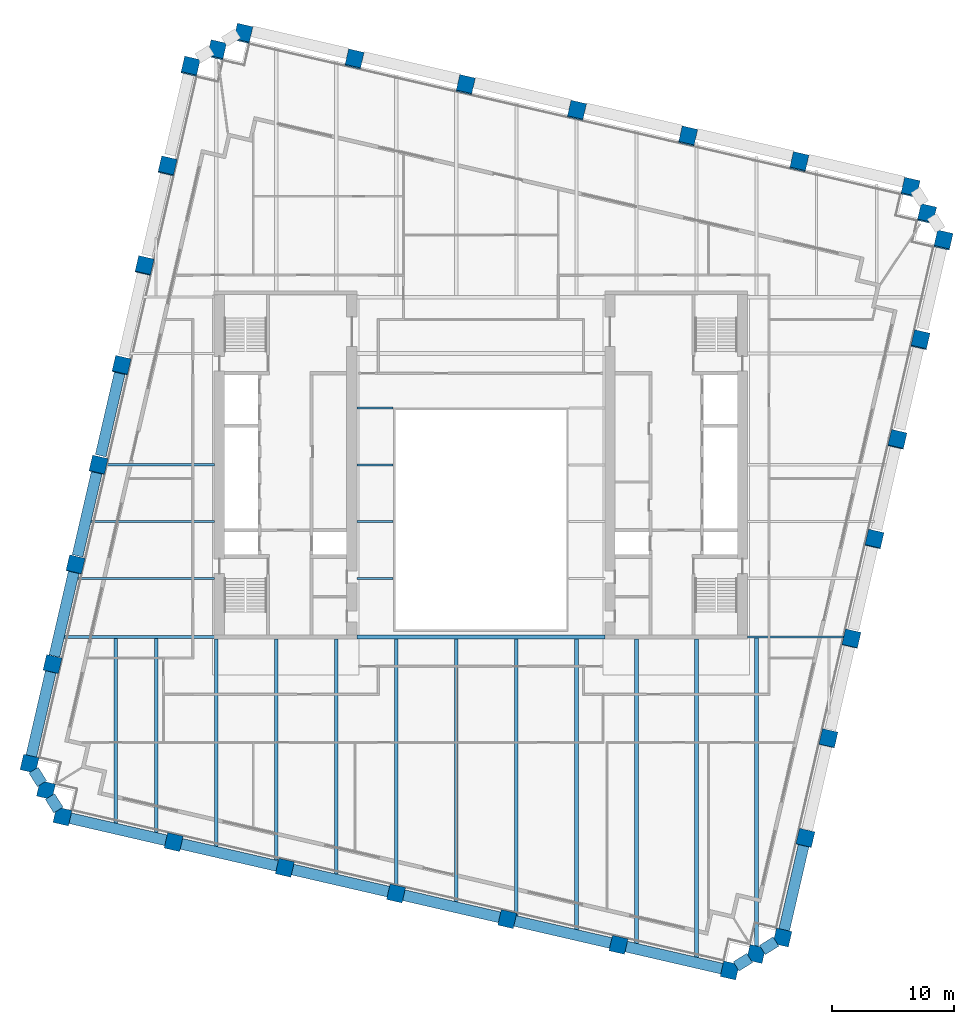
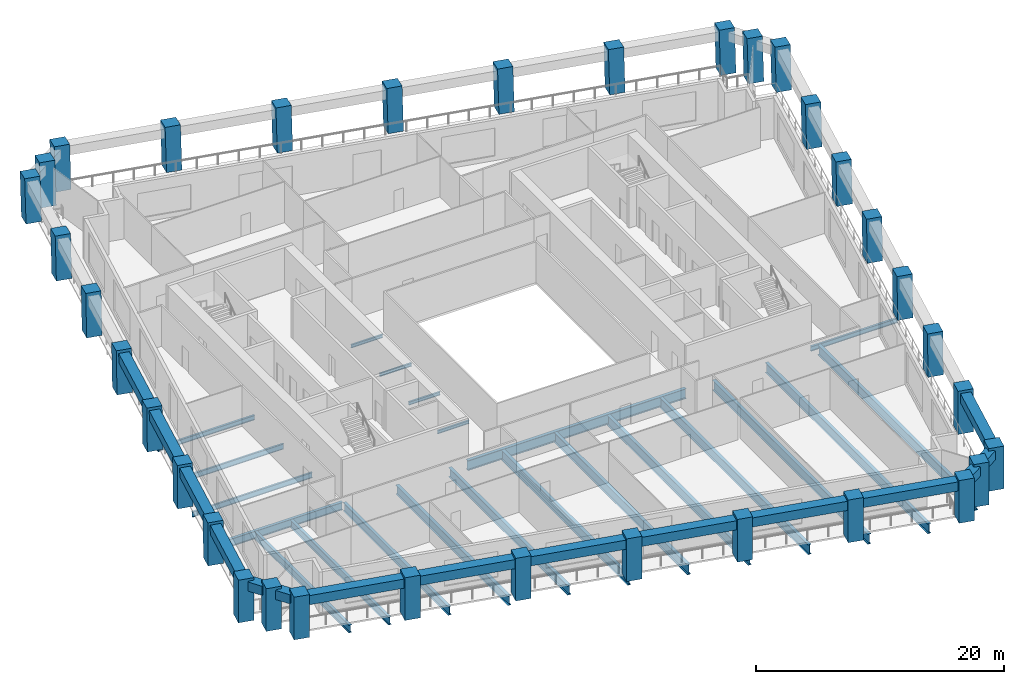
# One storey, part 1 of 10: 37 beams, 34 columns.
"""IFC4 building model written with IfcOpenShell, lengths in metres."""

from ifc_helpers import new_model, si_unit, direction, frame, origin, origin_2d, place, context, subcontext, project, spatial, rectangle, i_section, extrude, material, material_profile, profile_set, type_object, element, save


model = new_model("IFC4")

# Units and contexts
model_context = context("Model", 3, precision=1e-05, world=origin(), true_north=direction((0.0, 1.0)))
body_context = subcontext(model_context, "Body", "Model", "MODEL_VIEW")
ifc_project = project(units=[si_unit("LENGTHUNIT", "METRE"), si_unit("AREAUNIT", "SQUARE_METRE"), si_unit("VOLUMEUNIT", "CUBIC_METRE"), si_unit("PLANEANGLEUNIT", "RADIAN"), si_unit("MASSUNIT", "GRAM", prefix="KILO")], contexts=[model_context])

# Site, building, storey
site_placement = place(None, origin())
site = spatial("IfcSite", under=ifc_project, at=site_placement, CompositionType="ELEMENT")
building_placement = place(site_placement, origin())
building = spatial("IfcBuilding", under=site, at=building_placement, Name="Ogive Exchange Tower", CompositionType="ELEMENT")
storey_placement = place(building_placement, frame((0.0, 0.0, 143.39990234375)))
storey = spatial("IfcBuildingStorey", under=building, at=storey_placement, Name="L31", CompositionType="ELEMENT", Elevation=143.39990234375)

# Columns
ifc_material_1 = material(Name="Precast concrete C70/85 (limestone faced)", Category="masonry")
ifc_material_profile_1 = material_profile(ifc_material_1, rectangle(XDim=1.300048828125, YDim=1.300048828125, at=origin_2d()), Name="1300 x 1300")
ifc_profile_set_1 = profile_set([ifc_material_profile_1], Name="Precast concrete C70/85 (limestone faced)")
column_type = type_object("IfcColumnType", Name="Precast exoskeleton leg 1300 x 1300 C70/85", PredefinedType="COLUMN", material=ifc_profile_set_1)
for number, where, z_axis, x_axis, name in (
    (1, (-34.281982421875, -17.298095703125, 0.0), (0.0, 0.0, 1.0), (0.974370064785, -0.224951054344, 0.0), "Exoskeleton leg 1"),
    (2, (-25.171630859375, -19.401611328125, 0.0), (0.0, 0.0, 1.0), (0.974370064785, -0.224951054344, 0.0), "Exoskeleton leg 2"),
    (3, (-16.061279296875, -21.504638671875, 0.0), (0.0, 0.0, 1.0), (0.974370064785, -0.224951054344, 0.0), "Exoskeleton leg 3"),
    (4, (-6.950927734375, -23.60791015625, 0.0), (0.0, 0.0, 1.0), (0.974370064785, -0.224951054344, 0.0), "Exoskeleton leg 4"),
    (5, (2.159423828125, -25.711181640625, 0.0), (0.0, 0.0, 1.0), (0.974370064785, -0.224951054344, 0.0), "Exoskeleton leg 5"),
    (6, (11.269775390625, -27.814697265625, 0.0), (0.0, 0.0, 1.0), (0.974370064785, -0.224951054344, 0.0), "Exoskeleton leg 6"),
    (7, (20.380126953125, -29.91796875, 0.0), (0.0, 0.0, 1.0), (0.974370064785, -0.224951054344, 0.0), "Exoskeleton leg 7"),
    (8, (24.697509765625, -27.219970703125, 0.0), (0.0, 0.0, 1.0), (0.974370064785, -0.224951054344, 0.0), "Exoskeleton leg 8"),
):
    element("IfcColumn", number, at=place(storey_placement, frame(where, z_axis=z_axis, x_axis=x_axis)), inside=storey, type_object=column_type, Name=name, PredefinedType="COLUMN", context=body_context, shape_type="SweptSolid", body=[
        extrude(rectangle(XDim=1.300048828125, YDim=1.300048828125, at=origin_2d()), origin(), (0.0, 0.0, 1.0), 4.2001953125),
    ])
column_1_placement = place(storey_placement, frame((26.580078125, -19.065673828125, 0.0), z_axis=(0.002964175891, 0.012670398905, 0.999915333742), x_axis=(-0.973709261374, 0.227794368487, 0.0)))
element("IfcColumn", 9, at=column_1_placement, inside=storey, type_object=column_type, Name="Exoskeleton leg 9", PredefinedType="COLUMN", context=body_context, shape_type="SweptSolid", body=[
    extrude(rectangle(XDim=1.300048828125, YDim=1.300048828125, at=origin_2d()), origin(), (0.0, 0.0, 1.0), 4.200439453125),
])
column_2_placement = place(storey_placement, frame((28.462890625, -10.911376953125, 0.0), z_axis=(0.005810637908, 0.02533438128, 0.999662145733), x_axis=(-0.974691740237, 0.22355315143, 0.0)))
element("IfcColumn", 10, at=column_2_placement, inside=storey, type_object=column_type, Name="Exoskeleton leg 10", PredefinedType="COLUMN", context=body_context, shape_type="SweptSolid", body=[
    extrude(rectangle(XDim=1.300048828125, YDim=1.300048828125, at=origin_2d()), origin(), (0.0, 0.0, 1.0), 4.20166015625),
])
column_3_placement = place(storey_placement, frame((30.345458984375, -2.757080078125, 0.0), z_axis=(0.008712278909, 0.037985536045, 0.999240309059), x_axis=(-0.974691740237, 0.22355315143, 0.0)))
element("IfcColumn", 11, at=column_3_placement, inside=storey, type_object=column_type, Name="Exoskeleton leg 11", PredefinedType="COLUMN", context=body_context, shape_type="SweptSolid", body=[
    extrude(rectangle(XDim=1.300048828125, YDim=1.300048828125, at=origin_2d()), origin(), (0.0, 0.0, 1.0), 4.203369140625),
])
column_4_placement = place(storey_placement, frame((32.22802734375, 5.3974609375, 0.0), z_axis=(0.011667624972, 0.050501660328, 0.998655821007), x_axis=(-0.974334539389, 0.225104876342, 0.0)))
element("IfcColumn", 12, at=column_4_placement, inside=storey, type_object=column_type, Name="Exoskeleton leg 12", PredefinedType="COLUMN", context=body_context, shape_type="SweptSolid", body=[
    extrude(rectangle(XDim=1.300048828125, YDim=1.300048828125, at=origin_2d()), origin(), (0.0, 0.0, 1.0), 4.205810546875),
])
column_5_placement = place(storey_placement, frame((34.110595703125, 13.5517578125, 0.0), z_axis=(0.014558999143, 0.063108330945, 0.997900483069), x_axis=(-0.97440628778, 0.224794097641, 0.0)))
element("IfcColumn", 13, at=column_5_placement, inside=storey, type_object=column_type, Name="Exoskeleton leg 13", PredefinedType="COLUMN", context=body_context, shape_type="SweptSolid", body=[
    extrude(rectangle(XDim=1.300048828125, YDim=1.300048828125, at=origin_2d()), origin(), (0.0, 0.0, 1.0), 4.208984375),
])
column_6_placement = place(storey_placement, frame((35.9931640625, 21.7060546875, 0.0), z_axis=(0.017443081717, 0.075683271502, 0.996979328429), x_axis=(-0.974454034257, 0.224587032398, 0.0)))
element("IfcColumn", 14, at=column_6_placement, inside=storey, type_object=column_type, Name="Exoskeleton leg 14", PredefinedType="COLUMN", context=body_context, shape_type="SweptSolid", body=[
    extrude(rectangle(XDim=1.300048828125, YDim=1.300048828125, at=origin_2d()), origin(), (0.0, 0.0, 1.0), 4.212890625),
])
for number, where, z_axis, x_axis, name in (
    (15, (37.875732421875, 29.8603515625, 0.0), (0.02037631848, 0.088220197057, 0.99589256573), (-0.97434807649, 0.225046274885, 0.0), "Exoskeleton leg 15"),
    (16, (35.177734375, 34.177978515625, 0.0), (0.02037631848, 0.088220197057, 0.99589256573), (-0.97434807649, 0.225046274885, 0.0), "Exoskeleton leg 16"),
    (17, (26.0673828125, 36.28125, 0.0), (0.02037631848, 0.088220197057, 0.99589256573), (-0.97434807649, 0.225046274885, 0.0), "Exoskeleton leg 17"),
    (18, (16.95703125, 38.384521484375, 0.0), (0.02037631848, 0.088220197057, 0.99589256573), (-0.97434807649, 0.225046274885, 0.0), "Exoskeleton leg 18"),
    (19, (7.8466796875, 40.48779296875, 0.0), (0.02037631848, 0.088220197057, 0.99589256573), (-0.97434807649, 0.225046274885, 0.0), "Exoskeleton leg 19"),
    (20, (-1.263671875, 42.591064453125, 0.0), (0.02037631848, 0.088220197057, 0.99589256573), (-0.97434807649, 0.225046274885, 0.0), "Exoskeleton leg 20"),
    (21, (-10.3740234375, 44.6943359375, 0.0), (0.02037631848, 0.088220197057, 0.99589256573), (-0.97434807649, 0.225046274885, 0.0), "Exoskeleton leg 21"),
    (22, (-19.484375, 46.797607421875, 0.0), (0.02037631848, 0.088220197057, 0.99589256573), (-0.97434807649, 0.225046274885, 0.0), "Exoskeleton leg 22"),
    (23, (-23.802001953125, 44.099853515625, 0.0), (0.020376422505, 0.088162759874, 0.995897649951), (-0.97431566651, 0.225186549318, 0.0), "Exoskeleton leg 23"),
):
    element("IfcColumn", number, at=place(storey_placement, frame(where, z_axis=z_axis, x_axis=x_axis)), inside=storey, type_object=column_type, Name=name, PredefinedType="COLUMN", context=body_context, shape_type="SweptSolid", body=[
        extrude(rectangle(XDim=1.300048828125, YDim=1.300048828125, at=origin_2d()), origin(), (0.0, 0.0, 1.0), 4.217529296875),
    ])
column_7_placement = place(storey_placement, frame((-25.6845703125, 35.9453125, 0.0), z_axis=(0.017500937648, 0.075740812935, 0.996973944713), x_axis=(-0.974328337224, 0.225131719848, 0.0)))
element("IfcColumn", 24, at=column_7_placement, inside=storey, type_object=column_type, Name="Exoskeleton leg 24", PredefinedType="COLUMN", context=body_context, shape_type="SweptSolid", body=[
    extrude(rectangle(XDim=1.300048828125, YDim=1.300048828125, at=origin_2d()), origin(), (0.0, 0.0, 1.0), 4.212890625),
])
column_8_placement = place(storey_placement, frame((-27.567138671875, 27.791015625, 0.0), z_axis=(0.014616937225, 0.06316605015, 0.997895984186), x_axis=(-0.974255315496, 0.225447511024, 0.0)))
element("IfcColumn", 25, at=column_8_placement, inside=storey, type_object=column_type, Name="Exoskeleton leg 25", PredefinedType="COLUMN", context=body_context, shape_type="SweptSolid", body=[
    extrude(rectangle(XDim=1.300048828125, YDim=1.300048828125, at=origin_2d()), origin(), (0.0, 0.0, 1.0), 4.208984375),
])
column_9_placement = place(storey_placement, frame((-29.44970703125, 19.63671875, 0.0), z_axis=(0.011667590749, 0.050559559912, 0.998652891764), x_axis=(-0.974391195695, 0.224859506699, 0.0)))
element("IfcColumn", 26, at=column_9_placement, inside=storey, type_object=column_type, Name="Exoskeleton leg 26", PredefinedType="COLUMN", context=body_context, shape_type="SweptSolid", body=[
    extrude(rectangle(XDim=1.300048828125, YDim=1.300048828125, at=origin_2d()), origin(), (0.0, 0.0, 1.0), 4.205810546875),
])
column_10_placement = place(storey_placement, frame((-31.332275390625, 11.482421875, 0.0), z_axis=(0.008770375651, 0.037927518544, 0.999242004646), x_axis=(-0.974290512438, 0.225295355862, 0.0)))
element("IfcColumn", 27, at=column_10_placement, inside=storey, type_object=column_type, Name="Exoskeleton leg 27", PredefinedType="COLUMN", context=body_context, shape_type="SweptSolid", body=[
    extrude(rectangle(XDim=1.300048828125, YDim=1.300048828125, at=origin_2d()), origin(), (0.0, 0.0, 1.0), 4.203369140625),
])
column_11_placement = place(storey_placement, frame((-33.21484375, 3.328125, 0.0), z_axis=(0.005868750925, 0.02527630349, 0.999663276431), x_axis=(-0.974088391429, 0.226167649504, 0.0)))
element("IfcColumn", 28, at=column_11_placement, inside=storey, type_object=column_type, Name="Exoskeleton leg 28", PredefinedType="COLUMN", context=body_context, shape_type="SweptSolid", body=[
    extrude(rectangle(XDim=1.300048828125, YDim=1.300048828125, at=origin_2d()), origin(), (0.0, 0.0, 1.0), 4.20166015625),
])
column_12_placement = place(storey_placement, frame((-35.097412109375, -4.826416015625, 0.0), z_axis=(0.00290605529, 0.012670401066, 0.99991550432), x_axis=(-0.974691740237, 0.22355315143, 0.0)))
element("IfcColumn", 29, at=column_12_placement, inside=storey, type_object=column_type, Name="Exoskeleton leg 29", PredefinedType="COLUMN", context=body_context, shape_type="SweptSolid", body=[
    extrude(rectangle(XDim=1.300048828125, YDim=1.300048828125, at=origin_2d()), origin(), (0.0, 0.0, 1.0), 4.200439453125),
])
for number, where, z_axis, x_axis, name in (
    (30, (-36.97998046875, -12.980712890625, 0.0), (0.0, 0.0, 1.0), (0.974370064785, -0.224951054344, 0.0), "Exoskeleton leg 30"),
    (31, (22.538818359375, -28.569091796875, 0.0), (0.0, 0.0, 1.0), (0.974370064785, -0.224951054344, 0.0), "Exoskeleton leg 31"),
):
    element("IfcColumn", number, at=place(storey_placement, frame(where, z_axis=z_axis, x_axis=x_axis)), inside=storey, type_object=column_type, Name=name, PredefinedType="COLUMN", context=body_context, shape_type="SweptSolid", body=[
        extrude(rectangle(XDim=1.300048828125, YDim=1.300048828125, at=origin_2d()), origin(), (0.0, 0.0, 1.0), 4.2001953125),
    ])
for number, where, z_axis, x_axis, name in (
    (32, (36.526611328125, 32.01904296875, 0.0), (0.02037631848, 0.088220197057, 0.99589256573), (-0.97434807649, 0.225046274885, 0.0), "Exoskeleton leg 32"),
    (33, (-21.643310546875, 45.44873046875, 0.0), (0.02037631848, 0.088220197057, 0.99589256573), (-0.97434807649, 0.225046274885, 0.0), "Exoskeleton leg 33"),
):
    element("IfcColumn", number, at=place(storey_placement, frame(where, z_axis=z_axis, x_axis=x_axis)), inside=storey, type_object=column_type, Name=name, PredefinedType="COLUMN", context=body_context, shape_type="SweptSolid", body=[
        extrude(rectangle(XDim=1.300048828125, YDim=1.300048828125, at=origin_2d()), origin(), (0.0, 0.0, 1.0), 4.217529296875),
    ])
column_13_placement = place(storey_placement, frame((-35.631103515625, -15.139404296875, 0.0), z_axis=(0.0, 0.0, 1.0), x_axis=(0.974370064785, -0.224951054344, 0.0)))
element("IfcColumn", 34, at=column_13_placement, inside=storey, type_object=column_type, Name="Exoskeleton leg 34", PredefinedType="COLUMN", context=body_context, shape_type="SweptSolid", body=[
    extrude(rectangle(XDim=1.300048828125, YDim=1.300048828125, at=origin_2d()), origin(), (0.0, 0.0, 1.0), 4.2001953125),
])

# Beams
ifc_material_2 = material(Name="Steel ASTM A992 Gr50", Category="steel")
ifc_material_profile_2 = material_profile(ifc_material_2, i_section(OverallWidth=0.300048828125, OverallDepth=0.97998046875, WebThickness=0.0166015625, FlangeThickness=0.026123046875, at=origin_2d()), Name="W1000x249")
ifc_profile_set_2 = profile_set([ifc_material_profile_2], Name="Steel ASTM A992 Gr50")
beam_type_1 = type_object("IfcBeamType", Name="Floor beam W1000x249", PredefinedType="JOIST", material=ifc_profile_set_2)
beam_1_placement = place(storey_placement, frame((-6.9296875, -23.151123046875, -0.68994140625), z_axis=(0.0, 1.0, 0.0), x_axis=(-1.0, 0.0, 0.0)))
element("IfcBeam", 35, at=beam_1_placement, inside=storey, type_object=beam_type_1, Name="Floor beam", PredefinedType="JOIST", context=body_context, shape_type="SweptSolid", body=[
    extrude(i_section(OverallWidth=0.300048828125, OverallDepth=0.97998046875, WebThickness=0.0166015625, FlangeThickness=0.026123046875, at=origin_2d()), origin(), (0.0, 0.0, 1.0), 20.406005859375),
])
beam_2_placement = place(storey_placement, frame((-2.011474609375, -24.28662109375, -0.68994140625), z_axis=(0.0, 1.0, 0.0), x_axis=(-1.0, 0.0, 0.0)))
element("IfcBeam", 36, at=beam_2_placement, inside=storey, type_object=beam_type_1, Name="Floor beam", PredefinedType="JOIST", context=body_context, shape_type="SweptSolid", body=[
    extrude(i_section(OverallWidth=0.300048828125, OverallDepth=0.97998046875, WebThickness=0.0166015625, FlangeThickness=0.026123046875, at=origin_2d()), origin(), (0.0, 0.0, 1.0), 21.54150390625),
])
beam_3_placement = place(storey_placement, frame((2.906982421875, -25.572021484375, -0.68994140625), z_axis=(0.0, 1.0, 0.0), x_axis=(-1.0, 0.0, 0.0)))
element("IfcBeam", 37, at=beam_3_placement, inside=storey, type_object=beam_type_1, Name="Floor beam", PredefinedType="JOIST", context=body_context, shape_type="SweptSolid", body=[
    extrude(i_section(OverallWidth=0.300048828125, OverallDepth=0.97998046875, WebThickness=0.0166015625, FlangeThickness=0.026123046875, at=origin_2d()), origin(), (0.0, 0.0, 1.0), 22.826904296875),
])
beam_4_placement = place(storey_placement, frame((7.825439453125, -26.70751953125, -0.68994140625), z_axis=(0.0, 1.0, 0.0), x_axis=(-1.0, 0.0, 0.0)))
element("IfcBeam", 38, at=beam_4_placement, inside=storey, type_object=beam_type_1, Name="Floor beam", PredefinedType="JOIST", context=body_context, shape_type="SweptSolid", body=[
    extrude(i_section(OverallWidth=0.300048828125, OverallDepth=0.97998046875, WebThickness=0.0166015625, FlangeThickness=0.026123046875, at=origin_2d()), origin(), (0.0, 0.0, 1.0), 23.96240234375),
])
beam_5_placement = place(storey_placement, frame((12.743896484375, -27.843017578125, -0.68994140625), z_axis=(0.0, 1.0, 0.0), x_axis=(-1.0, 0.0, 0.0)))
element("IfcBeam", 39, at=beam_5_placement, inside=storey, type_object=beam_type_1, Name="Floor beam", PredefinedType="JOIST", context=body_context, shape_type="SweptSolid", body=[
    extrude(i_section(OverallWidth=0.300048828125, OverallDepth=0.97998046875, WebThickness=0.0166015625, FlangeThickness=0.026123046875, at=origin_2d()), origin(), (0.0, 0.0, 1.0), 25.093017578125),
])
beam_6_placement = place(storey_placement, frame((17.662353515625, -28.978515625, -0.68994140625), z_axis=(0.0, 1.0, 0.0), x_axis=(-1.0, 0.0, 0.0)))
element("IfcBeam", 40, at=beam_6_placement, inside=storey, type_object=beam_type_1, Name="Floor beam", PredefinedType="JOIST", context=body_context, shape_type="SweptSolid", body=[
    extrude(i_section(OverallWidth=0.300048828125, OverallDepth=0.97998046875, WebThickness=0.0166015625, FlangeThickness=0.026123046875, at=origin_2d()), origin(), (0.0, 0.0, 1.0), 26.228515625),
])
beam_7_placement = place(storey_placement, frame((22.580810546875, -28.0615234375, -0.68994140625), z_axis=(0.0, 1.0, 0.0), x_axis=(-1.0, 0.0, 0.0)))
element("IfcBeam", 41, at=beam_7_placement, inside=storey, type_object=beam_type_1, Name="Floor beam", PredefinedType="JOIST", context=body_context, shape_type="SweptSolid", body=[
    extrude(i_section(OverallWidth=0.300048828125, OverallDepth=0.97998046875, WebThickness=0.0166015625, FlangeThickness=0.026123046875, at=origin_2d()), origin(), (0.0, 0.0, 1.0), 25.37109375),
])
ifc_material_profile_3 = material_profile(ifc_material_2, i_section(OverallWidth=0.1650390625, OverallDepth=0.31005859375, WebThickness=0.005859375, FlangeThickness=0.009765625, at=origin_2d()), Name="W310x38.7")
ifc_profile_set_3 = profile_set([ifc_material_profile_3], Name="Steel ASTM A992 Gr50")
beam_type_2 = type_object("IfcBeamType", Name="Floor beam W310x38.7", PredefinedType="JOIST", material=ifc_profile_set_3)
for number, where, z_axis, x_axis, name in (
    (42, (-10.169921875, 2.208740234375, -0.35498046875), (1.0, 0.0, 0.0), (0.0, 1.0, 0.0), "Floor beam"),
    (43, (-10.169921875, 6.857421875, -0.35498046875), (1.0, 0.0, 0.0), (0.0, 1.0, 0.0), "Floor beam"),
    (44, (-10.169921875, 11.50634765625, -0.35498046875), (1.0, 0.0, 0.0), (0.0, 1.0, 0.0), "Floor beam"),
):
    element("IfcBeam", number, at=place(storey_placement, frame(where, z_axis=z_axis, x_axis=x_axis)), inside=storey, type_object=beam_type_2, Name=name, PredefinedType="JOIST", context=body_context, shape_type="SweptSolid", body=[
        extrude(i_section(OverallWidth=0.1650390625, OverallDepth=0.31005859375, WebThickness=0.005859375, FlangeThickness=0.009765625, at=origin_2d()), origin(), (0.0, 0.0, 1.0), 2.949951171875),
    ])
ifc_material_profile_4 = material_profile(ifc_material_2, i_section(OverallWidth=0.19091796875, OverallDepth=0.45703125, WebThickness=0.009033203125, FlangeThickness=0.014404296875, at=origin_2d()), Name="W460x74")
ifc_profile_set_4 = profile_set([ifc_material_profile_4], Name="Steel ASTM A992 Gr50")
beam_type_3 = type_object("IfcBeamType", Name="Floor beam W460x74", PredefinedType="JOIST", material=ifc_profile_set_4)
beam_8_placement = place(storey_placement, frame((-30.864990234375, 11.50634765625, -0.428466796875), z_axis=(1.0, 0.0, 0.0), x_axis=(0.0, 1.0, 0.0)))
element("IfcBeam", 45, at=beam_8_placement, inside=storey, type_object=beam_type_3, Name="Floor beam", PredefinedType="JOIST", context=body_context, shape_type="SweptSolid", body=[
    extrude(i_section(OverallWidth=0.19091796875, OverallDepth=0.45703125, WebThickness=0.009033203125, FlangeThickness=0.014404296875, at=origin_2d()), origin(), (0.0, 0.0, 1.0), 9.034912109375),
])
ifc_material_profile_5 = material_profile(ifc_material_2, i_section(OverallWidth=0.1669921875, OverallDepth=0.535888671875, WebThickness=0.01025390625, FlangeThickness=0.0166015625, at=origin_2d()), Name="W530x85")
ifc_profile_set_5 = profile_set([ifc_material_profile_5], Name="Steel ASTM A992 Gr50")
beam_type_4 = type_object("IfcBeamType", Name="Floor beam W530x85", PredefinedType="JOIST", material=ifc_profile_set_5)
beam_9_placement = place(storey_placement, frame((-33.011474609375, 2.208740234375, -0.468017578125), z_axis=(1.0, 0.0, 0.0), x_axis=(0.0, 1.0, 0.0)))
element("IfcBeam", 46, at=beam_9_placement, inside=storey, type_object=beam_type_4, Name="Floor beam", PredefinedType="JOIST", context=body_context, shape_type="SweptSolid", body=[
    extrude(i_section(OverallWidth=0.1669921875, OverallDepth=0.535888671875, WebThickness=0.01025390625, FlangeThickness=0.0166015625, at=origin_2d()), origin(), (0.0, 0.0, 1.0), 11.181396484375),
])
beam_10_placement = place(storey_placement, frame((-31.938232421875, 6.857421875, -0.468017578125), z_axis=(1.0, 0.0, 0.0), x_axis=(0.0, 1.0, 0.0)))
element("IfcBeam", 47, at=beam_10_placement, inside=storey, type_object=beam_type_4, Name="Floor beam", PredefinedType="JOIST", context=body_context, shape_type="SweptSolid", body=[
    extrude(i_section(OverallWidth=0.1669921875, OverallDepth=0.535888671875, WebThickness=0.01025390625, FlangeThickness=0.0166015625, at=origin_2d()), origin(), (0.0, 0.0, 1.0), 10.108154296875),
])
ifc_material_profile_6 = material_profile(ifc_material_2, i_section(OverallWidth=0.26708984375, OverallDepth=0.75390625, WebThickness=0.01318359375, FlangeThickness=0.01708984375, at=origin_2d()), Name="W760x147")
ifc_profile_set_6 = profile_set([ifc_material_profile_6], Name="Steel ASTM A992 Gr50")
beam_type_5 = type_object("IfcBeamType", Name="Floor beam W760x147", PredefinedType="JOIST", material=ifc_profile_set_6)
beam_11_placement = place(storey_placement, frame((-29.921875, -17.992919921875, -0.576904296875), z_axis=(0.0, 1.0, 0.0), x_axis=(-1.0, 0.0, 0.0)))
element("IfcBeam", 48, at=beam_11_placement, inside=storey, type_object=beam_type_5, Name="Floor beam", PredefinedType="JOIST", context=body_context, shape_type="SweptSolid", body=[
    extrude(i_section(OverallWidth=0.26708984375, OverallDepth=0.75390625, WebThickness=0.01318359375, FlangeThickness=0.01708984375, at=origin_2d()), origin(), (0.0, 0.0, 1.0), 15.264404296875),
])
ifc_material_profile_7 = material_profile(ifc_material_2, i_section(OverallWidth=0.26708984375, OverallDepth=0.761962890625, WebThickness=0.014404296875, FlangeThickness=0.021484375, at=origin_2d()), Name="W760x173")
ifc_profile_set_7 = profile_set([ifc_material_profile_7], Name="Steel ASTM A992 Gr50")
beam_type_6 = type_object("IfcBeamType", Name="Floor beam W760x173", PredefinedType="JOIST", material=ifc_profile_set_7)
beam_12_placement = place(storey_placement, frame((-26.603515625, -18.609130859375, -0.580810546875), z_axis=(0.0, 1.0, 0.0), x_axis=(-1.0, 0.0, 0.0)))
element("IfcBeam", 49, at=beam_12_placement, inside=storey, type_object=beam_type_6, Name="Floor beam", PredefinedType="JOIST", context=body_context, shape_type="SweptSolid", body=[
    extrude(i_section(OverallWidth=0.26708984375, OverallDepth=0.761962890625, WebThickness=0.014404296875, FlangeThickness=0.021484375, at=origin_2d()), origin(), (0.0, 0.0, 1.0), 15.880615234375),
])
ifc_material_profile_8 = material_profile(ifc_material_2, i_section(OverallWidth=0.2919921875, OverallDepth=0.8359375, WebThickness=0.013916015625, FlangeThickness=0.018798828125, at=origin_2d()), Name="W840x176")
ifc_profile_set_8 = profile_set([ifc_material_profile_8], Name="Steel ASTM A992 Gr50")
beam_type_7 = type_object("IfcBeamType", Name="Floor beam W840x176", PredefinedType="JOIST", material=ifc_profile_set_8)
beam_13_placement = place(storey_placement, frame((-21.68505859375, -19.74462890625, -0.617919921875), z_axis=(0.0, 1.0, 0.0), x_axis=(-1.0, 0.0, 0.0)))
element("IfcBeam", 50, at=beam_13_placement, inside=storey, type_object=beam_type_7, Name="Floor beam", PredefinedType="JOIST", context=body_context, shape_type="SweptSolid", body=[
    extrude(i_section(OverallWidth=0.2919921875, OverallDepth=0.8359375, WebThickness=0.013916015625, FlangeThickness=0.018798828125, at=origin_2d()), origin(), (0.0, 0.0, 1.0), 16.99462890625),
])
ifc_material_profile_9 = material_profile(ifc_material_2, i_section(OverallWidth=0.304931640625, OverallDepth=0.904052734375, WebThickness=0.01513671875, FlangeThickness=0.02001953125, at=origin_2d()), Name="W920x201")
ifc_profile_set_9 = profile_set([ifc_material_profile_9], Name="Steel ASTM A992 Gr50")
beam_type_8 = type_object("IfcBeamType", Name="Floor beam W920x201", PredefinedType="JOIST", material=ifc_profile_set_9)
beam_14_placement = place(storey_placement, frame((-16.7666015625, -20.880126953125, -0.65185546875), z_axis=(0.0, 1.0, 0.0), x_axis=(-1.0, 0.0, 0.0)))
element("IfcBeam", 51, at=beam_14_placement, inside=storey, type_object=beam_type_8, Name="Floor beam", PredefinedType="JOIST", context=body_context, shape_type="SweptSolid", body=[
    extrude(i_section(OverallWidth=0.304931640625, OverallDepth=0.904052734375, WebThickness=0.01513671875, FlangeThickness=0.02001953125, at=origin_2d()), origin(), (0.0, 0.0, 1.0), 18.130126953125),
])
ifc_material_profile_10 = material_profile(ifc_material_2, i_section(OverallWidth=0.304931640625, OverallDepth=0.9189453125, WebThickness=0.017333984375, FlangeThickness=0.02783203125, at=origin_2d()), Name="W920x253")
ifc_profile_set_10 = profile_set([ifc_material_profile_10], Name="Steel ASTM A992 Gr50")
beam_type_9 = type_object("IfcBeamType", Name="Floor beam W920x253", PredefinedType="JOIST", material=ifc_profile_set_10)
beam_15_placement = place(storey_placement, frame((-11.84814453125, -22.015625, -0.659423828125), z_axis=(0.0, 1.0, 0.0), x_axis=(-1.0, 0.0, 0.0)))
element("IfcBeam", 52, at=beam_15_placement, inside=storey, type_object=beam_type_9, Name="Floor beam", PredefinedType="JOIST", context=body_context, shape_type="SweptSolid", body=[
    extrude(i_section(OverallWidth=0.304931640625, OverallDepth=0.9189453125, WebThickness=0.017333984375, FlangeThickness=0.02783203125, at=origin_2d()), origin(), (0.0, 0.0, 1.0), 19.265625),
])
ifc_material_profile_11 = material_profile(ifc_material_2, i_section(OverallWidth=0.300048828125, OverallDepth=0.97998046875, WebThickness=0.0166015625, FlangeThickness=0.026123046875, at=origin_2d()), Name="W1000x249")
ifc_profile_set_11 = profile_set([ifc_material_profile_11], Name="Steel ASTM A992 Gr50")
beam_type_10 = type_object("IfcBeamType", Name="Girder W1000x249", PredefinedType="BEAM", material=ifc_profile_set_11)
beam_16_placement = place(storey_placement, frame((-10.169921875, -2.594970703125, -0.68994140625), z_axis=(1.0, 0.0, 0.0), x_axis=(0.0, 1.0, 0.0)))
element("IfcBeam", 53, at=beam_16_placement, inside=storey, type_object=beam_type_10, Name="Header girder", PredefinedType="BEAM", context=body_context, shape_type="SweptSolid", body=[
    extrude(i_section(OverallWidth=0.300048828125, OverallDepth=0.97998046875, WebThickness=0.0166015625, FlangeThickness=0.026123046875, at=origin_2d()), origin(), (0.0, 0.0, 1.0), 20.33984375),
])
ifc_material_profile_12 = material_profile(ifc_material_2, i_section(OverallWidth=0.1650390625, OverallDepth=0.31005859375, WebThickness=0.005859375, FlangeThickness=0.009765625, at=origin_2d()), Name="W310x38.7")
ifc_profile_set_12 = profile_set([ifc_material_profile_12], Name="Steel ASTM A992 Gr50")
beam_type_11 = type_object("IfcBeamType", Name="Girder W310x38.7", PredefinedType="BEAM", material=ifc_profile_set_12)
beam_17_placement = place(storey_placement, frame((-10.169921875, 16.155029296875, -0.35498046875), z_axis=(1.0, 0.0, 0.0), x_axis=(0.0, 1.0, 0.0)))
element("IfcBeam", 54, at=beam_17_placement, inside=storey, type_object=beam_type_11, Name="Trimmer girder", PredefinedType="BEAM", context=body_context, shape_type="SweptSolid", body=[
    extrude(i_section(OverallWidth=0.1650390625, OverallDepth=0.31005859375, WebThickness=0.005859375, FlangeThickness=0.009765625, at=origin_2d()), origin(), (0.0, 0.0, 1.0), 2.949951171875),
])
ifc_material_profile_13 = material_profile(ifc_material_2, i_section(OverallWidth=0.19091796875, OverallDepth=0.45703125, WebThickness=0.009033203125, FlangeThickness=0.014404296875, at=origin_2d()), Name="W460x74")
ifc_profile_set_13 = profile_set([ifc_material_profile_13], Name="Steel ASTM A992 Gr50")
beam_type_12 = type_object("IfcBeamType", Name="Girder W460x74", PredefinedType="BEAM", material=ifc_profile_set_13)
beam_18_placement = place(storey_placement, frame((21.830078125, -2.594970703125, -0.428466796875), z_axis=(1.0, 0.0, 0.0), x_axis=(0.0, 1.0, 0.0)))
element("IfcBeam", 55, at=beam_18_placement, inside=storey, type_object=beam_type_12, Name="Header girder", PredefinedType="BEAM", context=body_context, shape_type="SweptSolid", body=[
    extrude(i_section(OverallWidth=0.19091796875, OverallDepth=0.45703125, WebThickness=0.009033203125, FlangeThickness=0.014404296875, at=origin_2d()), origin(), (0.0, 0.0, 1.0), 8.0908203125),
])
ifc_material_profile_14 = material_profile(ifc_material_2, i_section(OverallWidth=0.26708984375, OverallDepth=0.75390625, WebThickness=0.01318359375, FlangeThickness=0.01708984375, at=origin_2d()), Name="W760x147")
ifc_profile_set_14 = profile_set([ifc_material_profile_14], Name="Steel ASTM A992 Gr50")
beam_type_13 = type_object("IfcBeamType", Name="Girder W760x147", PredefinedType="BEAM", material=ifc_profile_set_14)
beam_19_placement = place(storey_placement, frame((-34.2705078125, -2.594970703125, -0.576904296875), z_axis=(1.0, 0.0, 0.0), x_axis=(0.0, 1.0, 0.0)))
element("IfcBeam", 56, at=beam_19_placement, inside=storey, type_object=beam_type_13, Name="Header girder", PredefinedType="BEAM", context=body_context, shape_type="SweptSolid", body=[
    extrude(i_section(OverallWidth=0.26708984375, OverallDepth=0.75390625, WebThickness=0.01318359375, FlangeThickness=0.01708984375, at=origin_2d()), origin(), (0.0, 0.0, 1.0), 12.4404296875),
])
ifc_material_profile_15 = material_profile(ifc_material_1, rectangle(XDim=0.89990234375, YDim=0.89990234375, at=origin_2d()), Name="900 x 900")
ifc_profile_set_15 = profile_set([ifc_material_profile_15], Name="Precast concrete C70/85 (limestone faced)")
beam_type_14 = type_object("IfcBeamType", Name="Precast spandrel 900 x 900 C70/85", PredefinedType="SPANDREL", material=ifc_profile_set_15)
for number, where, z_axis, x_axis, name in (
    (57, (-33.668212890625, -17.43994140625, 3.5), (0.974370337884, -0.224949871421, 0.0), (0.224949871421, 0.974370337884, 0.0), "Spandrel 1"),
    (58, (-24.557861328125, -19.543212890625, 3.5), (0.974370337884, -0.224949871421, 0.0), (0.224949871421, 0.974370337884, 0.0), "Spandrel 2"),
):
    element("IfcBeam", number, at=place(storey_placement, frame(where, z_axis=z_axis, x_axis=x_axis)), inside=storey, type_object=beam_type_14, Name=name, PredefinedType="SPANDREL", context=body_context, shape_type="SweptSolid", body=[
        extrude(rectangle(XDim=0.89990234375, YDim=0.89990234375, at=origin_2d()), origin(), (0.0, 0.0, 1.0), 8.08984375),
    ])
beam_20_placement = place(storey_placement, frame((-15.447509765625, -21.646484375, 3.5), z_axis=(0.974371864918, -0.224943256972, 0.0), x_axis=(0.224943256972, 0.974371864918, 0.0)))
element("IfcBeam", 59, at=beam_20_placement, inside=storey, type_object=beam_type_14, Name="Spandrel 3", PredefinedType="SPANDREL", context=body_context, shape_type="SweptSolid", body=[
    extrude(rectangle(XDim=0.89990234375, YDim=0.89990234375, at=origin_2d()), origin(), (0.0, 0.0, 1.0), 8.090087890625),
])
beam_21_placement = place(storey_placement, frame((-6.337158203125, -23.749755859375, 3.5), z_axis=(0.974370337884, -0.224949871421, 0.0), x_axis=(0.224949871421, 0.974370337884, 0.0)))
element("IfcBeam", 60, at=beam_21_placement, inside=storey, type_object=beam_type_14, Name="Spandrel 4", PredefinedType="SPANDREL", context=body_context, shape_type="SweptSolid", body=[
    extrude(rectangle(XDim=0.89990234375, YDim=0.89990234375, at=origin_2d()), origin(), (0.0, 0.0, 1.0), 8.08984375),
])
beam_22_placement = place(storey_placement, frame((2.773193359375, -25.85302734375, 3.5), z_axis=(0.974371864918, -0.224943256972, 0.0), x_axis=(0.224943256972, 0.974371864918, 0.0)))
element("IfcBeam", 61, at=beam_22_placement, inside=storey, type_object=beam_type_14, Name="Spandrel 5", PredefinedType="SPANDREL", context=body_context, shape_type="SweptSolid", body=[
    extrude(rectangle(XDim=0.89990234375, YDim=0.89990234375, at=origin_2d()), origin(), (0.0, 0.0, 1.0), 8.090087890625),
])
beam_23_placement = place(storey_placement, frame((11.883544921875, -27.956298828125, 3.5), z_axis=(0.974370337884, -0.224949871421, 0.0), x_axis=(0.224949871421, 0.974370337884, 0.0)))
element("IfcBeam", 62, at=beam_23_placement, inside=storey, type_object=beam_type_14, Name="Spandrel 6", PredefinedType="SPANDREL", context=body_context, shape_type="SweptSolid", body=[
    extrude(rectangle(XDim=0.89990234375, YDim=0.89990234375, at=origin_2d()), origin(), (0.0, 0.0, 1.0), 8.08984375),
])
for number, where, z_axis, x_axis, name in (
    (63, (20.9052734375, -29.58984375, 3.5), (0.848040277303, 0.529931776808, 0.0), (-0.529931776808, 0.848040277303, 0.0), "Spandrel 7"),
    (64, (23.06396484375, -28.24072265625, 3.5), (0.848092721491, 0.529847842077, 0.0), (-0.529847842077, 0.848092721491, 0.0), "Spandrel 8"),
):
    element("IfcBeam", number, at=place(storey_placement, frame(where, z_axis=z_axis, x_axis=x_axis)), inside=storey, type_object=beam_type_14, Name=name, PredefinedType="SPANDREL", context=body_context, shape_type="SweptSolid", body=[
        extrude(rectangle(XDim=0.89990234375, YDim=0.89990234375, at=origin_2d()), origin(), (0.0, 0.0, 1.0), 1.30712890625),
    ])
beam_24_placement = place(storey_placement, frame((24.83935546875, -26.606201171875, 3.5), z_axis=(0.224941647513, 0.974372236476, 0.0), x_axis=(-0.974372236476, 0.224941647513, 0.0)))
element("IfcBeam", 65, at=beam_24_placement, inside=storey, type_object=beam_type_14, Name="Spandrel 9", PredefinedType="SPANDREL", context=body_context, shape_type="SweptSolid", body=[
    extrude(rectangle(XDim=0.89990234375, YDim=0.89990234375, at=origin_2d()), origin(), (0.0, 0.0, 1.0), 7.163330078125),
])
for number, where, z_axis, x_axis, name in (
    (66, (-29.542236328125, 19.235595703125, 3.5), (-0.224966533978, -0.974366490901, 0.0), (0.974366490901, -0.224966533978, 0.0), "Spandrel 29"),
    (67, (-31.437255859375, 11.028076171875, 3.5), (-0.224934177752, -0.974373960899, 0.0), (0.974373960899, -0.224934177752, 0.0), "Spandrel 30"),
):
    element("IfcBeam", number, at=place(storey_placement, frame(where, z_axis=z_axis, x_axis=x_axis)), inside=storey, type_object=beam_type_14, Name=name, PredefinedType="SPANDREL", context=body_context, shape_type="SweptSolid", body=[
        extrude(rectangle(XDim=0.89990234375, YDim=0.89990234375, at=origin_2d()), origin(), (0.0, 0.0, 1.0), 7.16357421875),
    ])
for number, where, z_axis, x_axis, name in (
    (68, (-33.33203125, 2.820556640625, 3.5), (-0.224941647513, -0.974372236476, 0.0), (0.974372236476, -0.224941647513, 0.0), "Spandrel 31"),
    (69, (-35.226806640625, -5.386962890625, 3.5), (-0.224974004698, -0.974364765994, 0.0), (0.974364765994, -0.224974004698, 0.0), "Spandrel 32"),
):
    element("IfcBeam", number, at=place(storey_placement, frame(where, z_axis=z_axis, x_axis=x_axis)), inside=storey, type_object=beam_type_14, Name=name, PredefinedType="SPANDREL", context=body_context, shape_type="SweptSolid", body=[
        extrude(rectangle(XDim=0.89990234375, YDim=0.89990234375, at=origin_2d()), origin(), (0.0, 0.0, 1.0), 7.163330078125),
    ])
for number, where, z_axis, x_axis, name in (
    (70, (-36.65185546875, -13.505615234375, 3.5), (0.529847842077, -0.848092721491, 0.0), (0.848092721491, 0.529847842077, 0.0), "Spandrel 33"),
    (71, (-35.302978515625, -15.66455078125, 3.5), (0.530066093226, -0.847956329543, 0.0), (0.847956329543, 0.530066093226, 0.0), "Spandrel 34"),
):
    element("IfcBeam", number, at=place(storey_placement, frame(where, z_axis=z_axis, x_axis=x_axis)), inside=storey, type_object=beam_type_14, Name=name, PredefinedType="SPANDREL", context=body_context, shape_type="SweptSolid", body=[
        extrude(rectangle(XDim=0.89990234375, YDim=0.89990234375, at=origin_2d()), origin(), (0.0, 0.0, 1.0), 1.30712890625),
    ])

save(model, "model.ifc")
